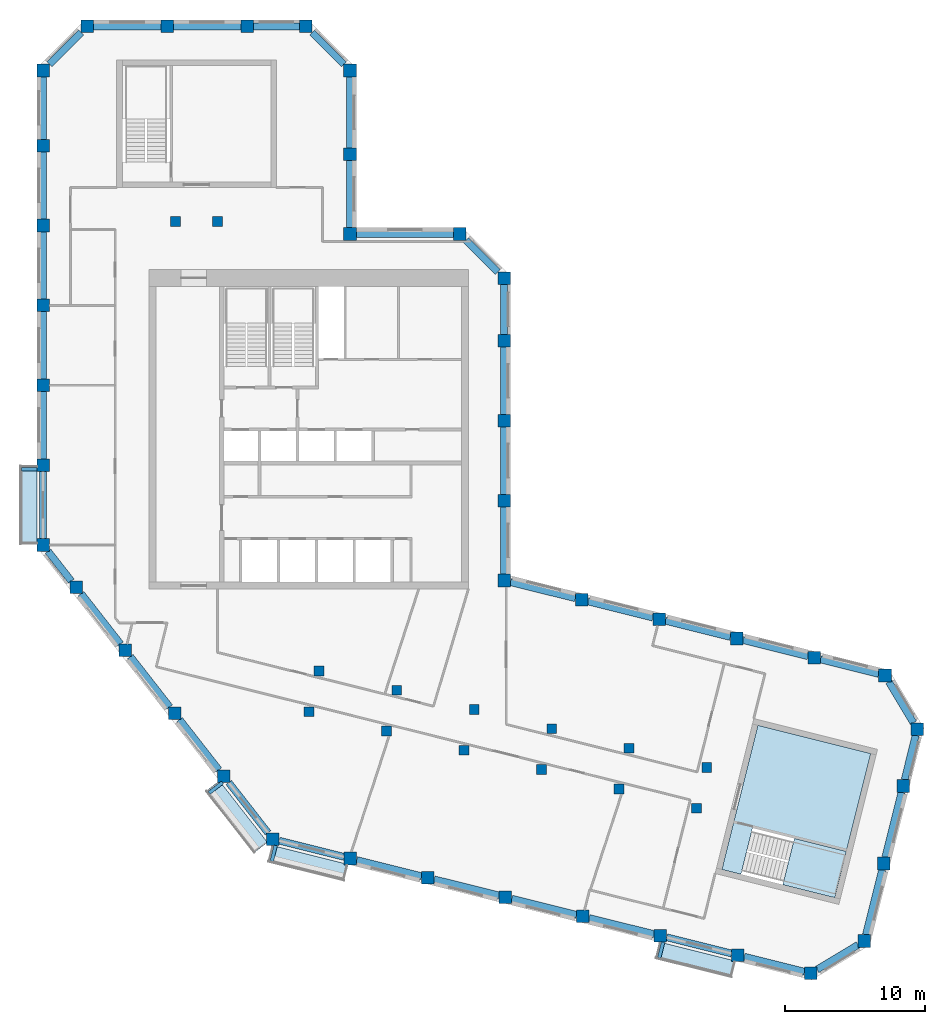
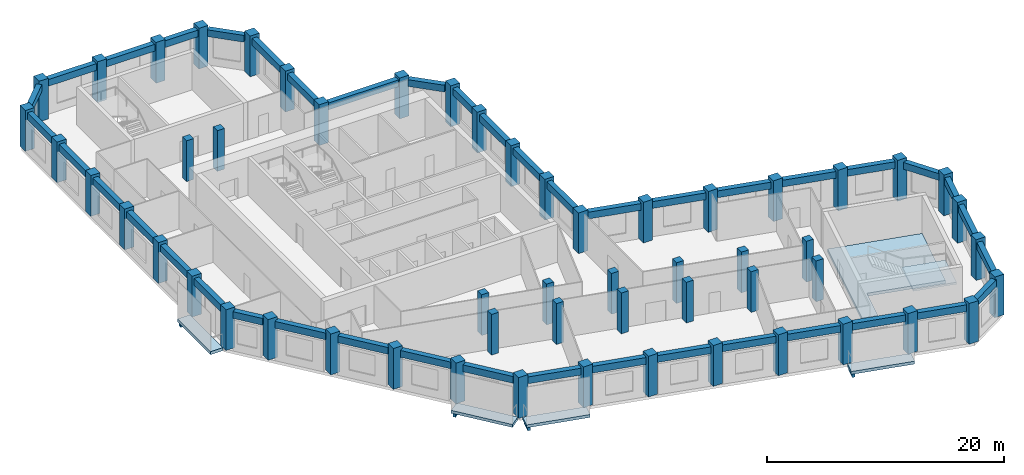
# One storey, part 1 of 8: 55 columns, 45 beams, 6 slabs, 1 element without a shape of its own.
"""IFC4 building model written with IfcOpenShell, lengths in metres."""

from ifc_helpers import new_model, si_unit, direction, frame, origin, origin_2d, place, context, subcontext, project, spatial, polyline, rectangle, outline, extrude, material, layer, layer_set, material_profile, profile_set, type_object, element, aggregate, save


model = new_model("IFC4")

# Units and contexts
model_context = context("Model", 3, precision=1e-05, world=origin(), true_north=direction((0.0, 1.0)))
body_context = subcontext(model_context, "Body", "Model", "MODEL_VIEW")
ifc_project = project(units=[si_unit("LENGTHUNIT", "METRE"), si_unit("AREAUNIT", "SQUARE_METRE"), si_unit("VOLUMEUNIT", "CUBIC_METRE"), si_unit("PLANEANGLEUNIT", "RADIAN"), si_unit("MASSUNIT", "GRAM", prefix="KILO")], contexts=[model_context])

# Site, building, storey
site_placement = place(None, origin())
site = spatial("IfcSite", under=ifc_project, at=site_placement, CompositionType="ELEMENT")
building_placement = place(site_placement, origin())
building = spatial("IfcBuilding", under=site, at=building_placement, Name="Meshkara Civic Tower", CompositionType="ELEMENT")
storey_placement = place(building_placement, frame((0.0, 0.0, 391.800048828125)))
storey = spatial("IfcBuildingStorey", under=building, at=storey_placement, Name="L90", CompositionType="ELEMENT", Elevation=391.800048828125)

# Columns
ifc_material_1 = material(Name="Concrete C50", Category="concrete")
ifc_material_profile_1 = material_profile(ifc_material_1, rectangle(XDim=0.699951171875, YDim=0.699951171875, at=origin_2d()))
ifc_profile_set_1 = profile_set([ifc_material_profile_1], Name="Concrete C50")
column_type_1 = type_object("IfcColumnType", Name="Interior column RC 700x700 C50", PredefinedType="COLUMN", material=ifc_profile_set_1)
for number, where, z_axis, x_axis, name in (
    (1, (9.89990234375, 40.35009765625, 0.0), (0.0, 0.0, 1.0), (1.0, 0.0, 0.0), "Column SA1-04 L90"),
    (2, (12.89990234375, 40.35009765625, 0.0), (0.0, 0.0, 1.0), (1.0, 0.0, 0.0), "Column SA2-04 L90"),
    (3, (19.424072265625, 5.360107421875, 0.0), (0.0, 0.0, 1.0), (1.0, 0.0, 0.0), "Column SB1-00 L90"),
    (4, (24.9541015625, 3.98095703125, 0.0), (0.0, 0.0, 1.0), (1.0, 0.0, 0.0), "Column SB1-01 L90"),
    (5, (30.485107421875, 2.60205078125, 0.0), (0.0, 0.0, 1.0), (1.0, 0.0, 0.0), "Column SB1-02 L90"),
    (6, (36.01611328125, 1.222900390625, 0.0), (0.0, 0.0, 1.0), (1.0, 0.0, 0.0), "Column SB1-03 L90"),
    (7, (41.5458984375, -0.156005859375, 0.0), (0.0, 0.0, 1.0), (1.0, 0.0, 0.0), "Column SB1-04 L90"),
    (8, (47.076904296875, -1.534912109375, 0.0), (0.0, 0.0, 1.0), (1.0, 0.0, 0.0), "Column SB1-05 L90"),
    (9, (20.14892578125, 8.27099609375, 0.0), (0.0, 0.0, 1.0), (1.0, 0.0, 0.0), "Column SB2-00 L90"),
    (10, (25.679931640625, 6.89208984375, 0.0), (0.0, 0.0, 1.0), (1.0, 0.0, 0.0), "Column SB2-01 L90"),
    (11, (31.2109375, 5.512939453125, 0.0), (0.0, 0.0, 1.0), (1.0, 0.0, 0.0), "Column SB2-02 L90"),
    (12, (36.741943359375, 4.134033203125, 0.0), (0.0, 0.0, 1.0), (1.0, 0.0, 0.0), "Column SB2-03 L90"),
    (13, (42.27197265625, 2.7548828125, 0.0), (0.0, 0.0, 1.0), (1.0, 0.0, 0.0), "Column SB2-04 L90"),
    (14, (47.802978515625, 1.3759765625, 0.0), (0.0, 0.0, 1.0), (1.0, 0.0, 0.0), "Column SB2-05 L90"),
):
    element("IfcColumn", number, at=place(storey_placement, frame(where, z_axis=z_axis, x_axis=x_axis)), inside=storey, type_object=column_type_1, Name=name, PredefinedType="COLUMN", context=body_context, shape_type="SweptSolid", body=[
        extrude(rectangle(XDim=0.699951171875, YDim=0.699951171875, at=origin_2d()), origin(), (0.0, 0.0, 1.0), 4.199951171875),
    ])
ifc_material_2 = material(Name="Concrete C50", Category="concrete")
ifc_material_profile_2 = material_profile(ifc_material_2, rectangle(XDim=0.89990234375, YDim=0.89990234375, at=origin_2d()))
ifc_profile_set_2 = profile_set([ifc_material_profile_2], Name="Concrete C50")
column_type_2 = type_object("IfcColumnType", Name="Perimeter column RC 900x900 C50", PredefinedType="COLUMN", material=ifc_profile_set_2)
for number, where, z_axis, x_axis, name in (
    (15, (33.35009765625, 14.718994140625, 0.0), (0.0, 0.0, 1.0), (1.0, 0.0, 0.0), "Column HE00 L90"),
    (16, (33.35009765625, 20.4189453125, 0.0), (0.0, 0.0, 1.0), (1.0, 0.0, 0.0), "Column HE01 L90"),
    (17, (33.35009765625, 26.118896484375, 0.0), (0.0, 0.0, 1.0), (1.0, 0.0, 0.0), "Column HE02 L90"),
    (18, (33.35009765625, 31.819091796875, 0.0), (0.0, 0.0, 1.0), (1.0, 0.0, 0.0), "Column HE03 L90"),
    (19, (33.35009765625, 36.2939453125, 0.0), (0.0, 0.0, 1.0), (1.0, 0.0, 0.0), "Column HEE L90"),
    (20, (30.194091796875, 39.449951171875, 0.0), (0.0, 0.0, 1.0), (1.0, 0.0, 0.0), "Column HCeE L90"),
    (21, (22.35009765625, 39.449951171875, 0.0), (0.0, 0.0, 1.0), (1.0, 0.0, 0.0), "Column HN00 L90"),
    (22, (22.35009765625, 45.14990234375, 0.0), (0.0, 0.0, 1.0), (1.0, 0.0, 0.0), "Column AE01 L90"),
    (23, (22.35009765625, 51.114013671875, 0.0), (0.0, 0.0, 1.0), (1.0, 0.0, 0.0), "Column AEEP5 L90"),
    (24, (19.194091796875, 54.27001953125, 0.0), (0.0, 0.0, 1.0), (1.0, 0.0, 0.0), "Column ATiEP5 L90"),
    (25, (3.60595703125, 54.27001953125, 0.0), (0.0, 0.0, 1.0), (1.0, 0.0, 0.0), "Column AT00-P5 L90"),
    (26, (9.305908203125, 54.27001953125, 0.0), (0.0, 0.0, 1.0), (1.0, 0.0, 0.0), "Column AT01-P5 L90"),
    (27, (15.006103515625, 54.27001953125, 0.0), (0.0, 0.0, 1.0), (1.0, 0.0, 0.0), "Column AT02-P5 L90"),
    (28, (0.449951171875, 51.114013671875, 0.0), (0.0, 0.0, 1.0), (1.0, 0.0, 0.0), "Column ATo00-P5 L90"),
    (29, (0.449951171875, 17.2548828125, 0.0), (0.0, 0.0, 1.0), (1.0, 0.0, 0.0), "Column AW00 L90"),
    (30, (0.449951171875, 22.955078125, 0.0), (0.0, 0.0, 1.0), (1.0, 0.0, 0.0), "Column AW01 L90"),
    (31, (0.449951171875, 28.655029296875, 0.0), (0.0, 0.0, 1.0), (1.0, 0.0, 0.0), "Column AW02 L90"),
    (32, (0.449951171875, 34.35498046875, 0.0), (0.0, 0.0, 1.0), (1.0, 0.0, 0.0), "Column AW03 L90"),
    (33, (0.449951171875, 40.054931640625, 0.0), (0.0, 0.0, 1.0), (1.0, 0.0, 0.0), "Column AW04 L90"),
    (34, (0.449951171875, 45.7548828125, 0.0), (0.0, 0.0, 1.0), (1.0, 0.0, 0.0), "Column AW05 L90"),
    (35, (16.85107421875, -3.738037109375, 0.0), (0.0, 0.0, 1.0), (1.0, 0.0, 0.0), "Column BOW00 L90"),
    (36, (13.342041015625, 0.75390625, 0.0), (0.0, 0.0, 1.0), (1.0, 0.0, 0.0), "Column BOW01 L90"),
    (37, (9.8330078125, 5.2451171875, 0.0), (0.0, 0.0, 1.0), (1.0, 0.0, 0.0), "Column BOW02 L90"),
    (38, (6.322998046875, 9.737060546875, 0.0), (0.0, 0.0, 1.0), (1.0, 0.0, 0.0), "Column BOW03 L90"),
    (39, (2.81396484375, 14.22900390625, 0.0), (0.0, 0.0, 1.0), (1.0, 0.0, 0.0), "Column BOW04 L90"),
    (40, (22.382080078125, -5.116943359375, 0.0), (0.0, 0.0, 1.0), (1.0, 0.0, 0.0), "Column BS01 L90"),
    (41, (27.912109375, -6.49609375, 0.0), (0.0, 0.0, 1.0), (1.0, 0.0, 0.0), "Column BS02 L90"),
    (42, (33.443115234375, -7.875, 0.0), (0.0, 0.0, 1.0), (1.0, 0.0, 0.0), "Column BS03 L90"),
    (43, (38.97412109375, -9.25390625, 0.0), (0.0, 0.0, 1.0), (1.0, 0.0, 0.0), "Column BS04 L90"),
    (44, (44.50390625, -10.633056640625, 0.0), (0.0, 0.0, 1.0), (1.0, 0.0, 0.0), "Column BS05-P4 L90"),
    (45, (50.034912109375, -12.011962890625, 0.0), (0.0, 0.0, 1.0), (1.0, 0.0, 0.0), "Column BS06-P4 L90"),
    (46, (55.235107421875, -13.30810546875, 0.0), (0.0, 0.0, 1.0), (1.0, 0.0, 0.0), "Column BSEP5 L90"),
    (47, (59.06103515625, -11.009033203125, 0.0), (0.0, 0.0, 1.0), (1.0, 0.0, 0.0), "Column BToEP5 L90"),
    (48, (60.43994140625, -5.47802734375, 0.0), (0.0, 0.0, 1.0), (1.0, 0.0, 0.0), "Column BT01-P5 L90"),
    (49, (61.819091796875, 0.052001953125, 0.0), (0.0, 0.0, 1.0), (1.0, 0.0, 0.0), "Column BT02-P5 L90"),
    (50, (62.83203125, 4.114990234375, 0.0), (0.0, 0.0, 1.0), (1.0, 0.0, 0.0), "Column BTEP5 L90"),
    (51, (60.532958984375, 7.94091796875, 0.0), (0.0, 0.0, 1.0), (1.0, 0.0, 0.0), "Column BTi00-P5 L90"),
    (52, (38.881103515625, 13.340087890625, 0.0), (0.0, 0.0, 1.0), (1.0, 0.0, 0.0), "Column BN01 L90"),
    (53, (44.410888671875, 11.9609375, 0.0), (0.0, 0.0, 1.0), (1.0, 0.0, 0.0), "Column BN02 L90"),
    (54, (49.94189453125, 10.58203125, 0.0), (0.0, 0.0, 1.0), (1.0, 0.0, 0.0), "Column BN03 L90"),
    (55, (55.472900390625, 9.202880859375, 0.0), (0.0, 0.0, 1.0), (1.0, 0.0, 0.0), "Column BN04 L90"),
):
    element("IfcColumn", number, at=place(storey_placement, frame(where, z_axis=z_axis, x_axis=x_axis)), inside=storey, type_object=column_type_2, Name=name, PredefinedType="COLUMN", context=body_context, shape_type="SweptSolid", body=[
        extrude(rectangle(XDim=0.89990234375, YDim=0.89990234375, at=origin_2d()), origin(), (0.0, 0.0, 1.0), 4.199951171875),
    ])

# Beams
ifc_material_3 = material(Name="Concrete C50", Category="concrete")
ifc_material_profile_3 = material_profile(ifc_material_3, rectangle(XDim=0.25, YDim=0.39990234375, at=origin_2d()))
ifc_profile_set_3 = profile_set([ifc_material_profile_3], Name="Concrete C50")
beam_type_1 = type_object("IfcBeamType", Name="Balcony bracket beam RC 250x400 C50", PredefinedType="BEAM", material=ifc_profile_set_3)
beam_1_placement = place(storey_placement, frame((0.0048828125, 22.655029296875, -0.5), z_axis=(-1.0, 0.0, 0.0), x_axis=(0.0, -1.0, 0.0)))
element("IfcBeam", 56, at=beam_1_placement, inside=storey, type_object=beam_type_1, Name="Balcony bracket beam", PredefinedType="BEAM", context=body_context, shape_type="SweptSolid", body=[
    extrude(rectangle(XDim=0.25, YDim=0.39990234375, at=origin_2d()), origin(), (0.0, 0.0, 1.0), 1.10498046875),
])
beam_2_placement = place(storey_placement, frame((13.257080078125, 0.306884765625, -0.5), z_axis=(-0.788012120422, -0.615659725878, 0.0), x_axis=(0.615659725878, -0.788012120422, 0.0)))
element("IfcBeam", 57, at=beam_2_placement, inside=storey, type_object=beam_type_1, Name="Balcony bracket beam", PredefinedType="BEAM", context=body_context, shape_type="SweptSolid", body=[
    extrude(rectangle(XDim=0.25, YDim=0.39990234375, at=origin_2d()), origin(), (0.0, 0.0, 1.0), 1.208251953125),
])
beam_3_placement = place(storey_placement, frame((17.049072265625, -4.18310546875, -0.5), z_axis=(-0.241944119929, -0.970290184858, 0.0), x_axis=(0.970290184858, -0.241944119929, 0.0)))
element("IfcBeam", 58, at=beam_3_placement, inside=storey, type_object=beam_type_1, Name="Balcony bracket beam", PredefinedType="BEAM", context=body_context, shape_type="SweptSolid", body=[
    extrude(rectangle(XDim=0.25, YDim=0.39990234375, at=origin_2d()), origin(), (0.0, 0.0, 1.0), 1.16552734375),
])
beam_4_placement = place(storey_placement, frame((44.701904296875, -11.077880859375, -0.5), z_axis=(-0.241894953997, -0.970302443175, 0.0), x_axis=(0.970302443175, -0.241894953997, 0.0)))
element("IfcBeam", 59, at=beam_4_placement, inside=storey, type_object=beam_type_1, Name="Balcony bracket beam", PredefinedType="BEAM", context=body_context, shape_type="SweptSolid", body=[
    extrude(rectangle(XDim=0.25, YDim=0.39990234375, at=origin_2d()), origin(), (0.0, 0.0, 1.0), 1.165771484375),
])
ifc_material_4 = material(Name="Concrete C50", Category="concrete")
ifc_material_profile_4 = material_profile(ifc_material_4, rectangle(XDim=0.5, YDim=0.699951171875, at=origin_2d()))
ifc_profile_set_4 = profile_set([ifc_material_profile_4], Name="Concrete C50")
beam_type_2 = type_object("IfcBeamType", Name="Spandrel beam RC 500x700 C50", PredefinedType="BEAM", material=ifc_profile_set_4)
for number, where, z_axis, x_axis, name in (
    (60, (55.02783203125, 9.31396484375, 3.550048828125), (-0.970298442389, 0.241911001604, 0.0), (-0.241911001604, -0.970298442389, 0.0), "Spandrel beam BN03-BN04"),
    (61, (49.496826171875, 10.693115234375, 3.550048828125), (-0.970298442389, 0.241911001604, 0.0), (-0.241911001604, -0.970298442389, 0.0), "Spandrel beam BN02-BN03"),
):
    element("IfcBeam", number, at=place(storey_placement, frame(where, z_axis=z_axis, x_axis=x_axis)), inside=storey, type_object=beam_type_2, Name=name, PredefinedType="BEAM", context=body_context, shape_type="SweptSolid", body=[
        extrude(rectangle(XDim=0.5, YDim=0.699951171875, at=origin_2d()), origin(), (0.0, 0.0, 1.0), 4.78271484375),
    ])
beam_5_placement = place(storey_placement, frame((43.9658203125, 12.072021484375, 3.550048828125), z_axis=(-0.970286489601, 0.241958938867, 0.0), x_axis=(-0.241958938867, -0.970286489601, 0.0)))
element("IfcBeam", 62, at=beam_5_placement, inside=storey, type_object=beam_type_2, Name="Spandrel beam BN01-BN02", PredefinedType="BEAM", context=body_context, shape_type="SweptSolid", body=[
    extrude(rectangle(XDim=0.5, YDim=0.699951171875, at=origin_2d()), origin(), (0.0, 0.0, 1.0), 4.78173828125),
])
beam_6_placement = place(storey_placement, frame((38.435791015625, 13.450927734375, 3.550048828125), z_axis=(-0.970298442389, 0.241911001604, 0.0), x_axis=(-0.241911001604, -0.970298442389, 0.0)))
element("IfcBeam", 63, at=beam_6_placement, inside=storey, type_object=beam_type_2, Name="Spandrel beam BN01-HE00", PredefinedType="BEAM", context=body_context, shape_type="SweptSolid", body=[
    extrude(rectangle(XDim=0.5, YDim=0.699951171875, at=origin_2d()), origin(), (0.0, 0.0, 1.0), 4.78271484375),
])
for number, where, z_axis, x_axis, name in (
    (64, (33.35009765625, 15.1640625, 3.550048828125), (0.0, 1.0, 0.0), (-1.0, 0.0, 0.0), "Spandrel beam HE00-HE01"),
    (65, (33.35009765625, 20.864013671875, 3.550048828125), (0.0, 1.0, 0.0), (-1.0, 0.0, 0.0), "Spandrel beam HE01-HE02"),
    (66, (33.35009765625, 26.56396484375, 3.550048828125), (0.0, 1.0, 0.0), (-1.0, 0.0, 0.0), "Spandrel beam HE02-HE03"),
):
    element("IfcBeam", number, at=place(storey_placement, frame(where, z_axis=z_axis, x_axis=x_axis)), inside=storey, type_object=beam_type_2, Name=name, PredefinedType="BEAM", context=body_context, shape_type="SweptSolid", body=[
        extrude(rectangle(XDim=0.5, YDim=0.699951171875, at=origin_2d()), origin(), (0.0, 0.0, 1.0), 4.81005859375),
    ])
beam_7_placement = place(storey_placement, frame((33.35009765625, 32.263916015625, 3.550048828125), z_axis=(0.0, 1.0, 0.0), x_axis=(-1.0, 0.0, 0.0)))
element("IfcBeam", 67, at=beam_7_placement, inside=storey, type_object=beam_type_2, Name="Spandrel beam HE03-HEE", PredefinedType="BEAM", context=body_context, shape_type="SweptSolid", body=[
    extrude(rectangle(XDim=0.5, YDim=0.699951171875, at=origin_2d()), origin(), (0.0, 0.0, 1.0), 3.585205078125),
])
beam_8_placement = place(storey_placement, frame((32.903564453125, 36.740478515625, 3.550048828125), z_axis=(-0.707144921739, 0.707068638576, 0.0), x_axis=(-0.707068638576, -0.707144921739, 0.0)))
element("IfcBeam", 68, at=beam_8_placement, inside=storey, type_object=beam_type_2, Name="Spandrel beam HCeE-HEE", PredefinedType="BEAM", context=body_context, shape_type="SweptSolid", body=[
    extrude(rectangle(XDim=0.5, YDim=0.699951171875, at=origin_2d()), origin(), (0.0, 0.0, 1.0), 3.200439453125),
])
beam_9_placement = place(storey_placement, frame((29.7490234375, 39.449951171875, 3.550048828125), z_axis=(-1.0, 0.0, 0.0), x_axis=(0.0, -1.0, 0.0)))
element("IfcBeam", 69, at=beam_9_placement, inside=storey, type_object=beam_type_2, Name="Spandrel beam HCeE-HN00", PredefinedType="BEAM", context=body_context, shape_type="SweptSolid", body=[
    extrude(rectangle(XDim=0.5, YDim=0.699951171875, at=origin_2d()), origin(), (0.0, 0.0, 1.0), 6.9541015625),
])
beam_10_placement = place(storey_placement, frame((22.35009765625, 39.89501953125, 3.550048828125), z_axis=(0.0, 1.0, 0.0), x_axis=(-1.0, 0.0, 0.0)))
element("IfcBeam", 70, at=beam_10_placement, inside=storey, type_object=beam_type_2, Name="Spandrel beam AE01-HN00", PredefinedType="BEAM", context=body_context, shape_type="SweptSolid", body=[
    extrude(rectangle(XDim=0.5, YDim=0.699951171875, at=origin_2d()), origin(), (0.0, 0.0, 1.0), 4.81005859375),
])
beam_11_placement = place(storey_placement, frame((22.35009765625, 45.594970703125, 3.550048828125), z_axis=(0.0, 1.0, 0.0), x_axis=(-1.0, 0.0, 0.0)))
element("IfcBeam", 71, at=beam_11_placement, inside=storey, type_object=beam_type_2, Name="Spandrel beam AE01-AEEP5", PredefinedType="BEAM", context=body_context, shape_type="SweptSolid", body=[
    extrude(rectangle(XDim=0.5, YDim=0.699951171875, at=origin_2d()), origin(), (0.0, 0.0, 1.0), 5.073974609375),
])
beam_12_placement = place(storey_placement, frame((21.903564453125, 51.560546875, 3.550048828125), z_axis=(-0.707144921739, 0.707068638576, 0.0), x_axis=(-0.707068638576, -0.707144921739, 0.0)))
element("IfcBeam", 72, at=beam_12_placement, inside=storey, type_object=beam_type_2, Name="Spandrel beam AEEP5-ATiEP5", PredefinedType="BEAM", context=body_context, shape_type="SweptSolid", body=[
    extrude(rectangle(XDim=0.5, YDim=0.699951171875, at=origin_2d()), origin(), (0.0, 0.0, 1.0), 3.200439453125),
])
beam_13_placement = place(storey_placement, frame((18.7490234375, 54.27001953125, 3.550048828125), z_axis=(-1.0, 0.0, 0.0), x_axis=(0.0, -1.0, 0.0)))
element("IfcBeam", 73, at=beam_13_placement, inside=storey, type_object=beam_type_2, Name="Spandrel beam AT02-P5-ATiEP5", PredefinedType="BEAM", context=body_context, shape_type="SweptSolid", body=[
    extrude(rectangle(XDim=0.5, YDim=0.699951171875, at=origin_2d()), origin(), (0.0, 0.0, 1.0), 3.298095703125),
])
for number, where, z_axis, x_axis, name in (
    (74, (14.56103515625, 54.27001953125, 3.550048828125), (-1.0, 0.0, 0.0), (0.0, -1.0, 0.0), "Spandrel beam AT01-P5-AT02-P5"),
    (75, (8.861083984375, 54.27001953125, 3.550048828125), (-1.0, 0.0, 0.0), (0.0, -1.0, 0.0), "Spandrel beam AT00-P5-AT01-P5"),
):
    element("IfcBeam", number, at=place(storey_placement, frame(where, z_axis=z_axis, x_axis=x_axis)), inside=storey, type_object=beam_type_2, Name=name, PredefinedType="BEAM", context=body_context, shape_type="SweptSolid", body=[
        extrude(rectangle(XDim=0.5, YDim=0.699951171875, at=origin_2d()), origin(), (0.0, 0.0, 1.0), 4.81005859375),
    ])
beam_14_placement = place(storey_placement, frame((3.159423828125, 53.823486328125, 3.550048828125), z_axis=(-0.707106781187, -0.707106781187, 0.0), x_axis=(0.707106781187, -0.707106781187, 0.0)))
element("IfcBeam", 76, at=beam_14_placement, inside=storey, type_object=beam_type_2, Name="Spandrel beam AT00-P5-ATo00-P5", PredefinedType="BEAM", context=body_context, shape_type="SweptSolid", body=[
    extrude(rectangle(XDim=0.5, YDim=0.699951171875, at=origin_2d()), origin(), (0.0, 0.0, 1.0), 3.2001953125),
])
beam_15_placement = place(storey_placement, frame((0.449951171875, 50.6689453125, 3.550048828125), z_axis=(0.0, -1.0, 0.0), x_axis=(1.0, 0.0, 0.0)))
element("IfcBeam", 77, at=beam_15_placement, inside=storey, type_object=beam_type_2, Name="Spandrel beam ATo00-P5-AW05", PredefinedType="BEAM", context=body_context, shape_type="SweptSolid", body=[
    extrude(rectangle(XDim=0.5, YDim=0.699951171875, at=origin_2d()), origin(), (0.0, 0.0, 1.0), 4.468994140625),
])
for number, where, z_axis, x_axis, name in (
    (78, (0.449951171875, 45.31005859375, 3.550048828125), (0.0, -1.0, 0.0), (1.0, 0.0, 0.0), "Spandrel beam AW04-AW05"),
    (79, (0.449951171875, 39.610107421875, 3.550048828125), (0.0, -1.0, 0.0), (1.0, 0.0, 0.0), "Spandrel beam AW03-AW04"),
):
    element("IfcBeam", number, at=place(storey_placement, frame(where, z_axis=z_axis, x_axis=x_axis)), inside=storey, type_object=beam_type_2, Name=name, PredefinedType="BEAM", context=body_context, shape_type="SweptSolid", body=[
        extrude(rectangle(XDim=0.5, YDim=0.699951171875, at=origin_2d()), origin(), (0.0, 0.0, 1.0), 4.81005859375),
    ])
beam_16_placement = place(storey_placement, frame((0.449951171875, 33.909912109375, 3.550048828125), z_axis=(0.0, -1.0, 0.0), x_axis=(1.0, 0.0, 0.0)))
element("IfcBeam", 80, at=beam_16_placement, inside=storey, type_object=beam_type_2, Name="Spandrel beam AW02-AW03", PredefinedType="BEAM", context=body_context, shape_type="SweptSolid", body=[
    extrude(rectangle(XDim=0.5, YDim=0.699951171875, at=origin_2d()), origin(), (0.0, 0.0, 1.0), 4.809814453125),
])
for number, where, z_axis, x_axis, name in (
    (81, (0.449951171875, 28.2099609375, 3.550048828125), (0.0, -1.0, 0.0), (1.0, 0.0, 0.0), "Spandrel beam AW01-AW02"),
    (82, (0.449951171875, 22.510009765625, 3.550048828125), (0.0, -1.0, 0.0), (1.0, 0.0, 0.0), "Spandrel beam AW00-AW01"),
):
    element("IfcBeam", number, at=place(storey_placement, frame(where, z_axis=z_axis, x_axis=x_axis)), inside=storey, type_object=beam_type_2, Name=name, PredefinedType="BEAM", context=body_context, shape_type="SweptSolid", body=[
        extrude(rectangle(XDim=0.5, YDim=0.699951171875, at=origin_2d()), origin(), (0.0, 0.0, 1.0), 4.81005859375),
    ])
beam_17_placement = place(storey_placement, frame((0.798583984375, 16.808837890625, 3.550048828125), z_axis=(0.615637043197, -0.788029841468, 0.0), x_axis=(0.788029841468, 0.615637043197, 0.0)))
element("IfcBeam", 83, at=beam_17_placement, inside=storey, type_object=beam_type_2, Name="Spandrel beam AW00-BOW04", PredefinedType="BEAM", context=body_context, shape_type="SweptSolid", body=[
    extrude(rectangle(XDim=0.5, YDim=0.699951171875, at=origin_2d()), origin(), (0.0, 0.0, 1.0), 2.707763671875),
])
beam_18_placement = place(storey_placement, frame((3.162353515625, 13.782958984375, 3.550048828125), z_axis=(0.615626410665, -0.788038147865, 0.0), x_axis=(0.788038147865, 0.615626410665, 0.0)))
element("IfcBeam", 84, at=beam_18_placement, inside=storey, type_object=beam_type_2, Name="Spandrel beam BOW03-BOW04", PredefinedType="BEAM", context=body_context, shape_type="SweptSolid", body=[
    extrude(rectangle(XDim=0.5, YDim=0.699951171875, at=origin_2d()), origin(), (0.0, 0.0, 1.0), 4.568115234375),
])
beam_19_placement = place(storey_placement, frame((6.67138671875, 9.291015625, 3.550048828125), z_axis=(0.615759141311, -0.787934438829, 0.0), x_axis=(0.787934438829, 0.615759141311, 0.0)))
element("IfcBeam", 85, at=beam_19_placement, inside=storey, type_object=beam_type_2, Name="Spandrel beam BOW02-BOW03", PredefinedType="BEAM", context=body_context, shape_type="SweptSolid", body=[
    extrude(rectangle(XDim=0.5, YDim=0.699951171875, at=origin_2d()), origin(), (0.0, 0.0, 1.0), 4.568603515625),
])
beam_20_placement = place(storey_placement, frame((10.181396484375, 4.798828125, 3.550048828125), z_axis=(0.615722879711, -0.78796277539, 0.0), x_axis=(0.78796277539, 0.615722879711, 0.0)))
element("IfcBeam", 86, at=beam_20_placement, inside=storey, type_object=beam_type_2, Name="Spandrel beam BOW01-BOW02", PredefinedType="BEAM", context=body_context, shape_type="SweptSolid", body=[
    extrude(rectangle(XDim=0.5, YDim=0.699951171875, at=origin_2d()), origin(), (0.0, 0.0, 1.0), 4.56689453125),
])
beam_21_placement = place(storey_placement, frame((13.6904296875, 0.307861328125, 3.550048828125), z_axis=(0.615626410665, -0.788038147865, 0.0), x_axis=(0.788038147865, 0.615626410665, 0.0)))
element("IfcBeam", 87, at=beam_21_placement, inside=storey, type_object=beam_type_2, Name="Spandrel beam BOW00-BOW01", PredefinedType="BEAM", context=body_context, shape_type="SweptSolid", body=[
    extrude(rectangle(XDim=0.5, YDim=0.699951171875, at=origin_2d()), origin(), (0.0, 0.0, 1.0), 4.568115234375),
])
beam_22_placement = place(storey_placement, frame((17.296142578125, -3.84912109375, 3.550048828125), z_axis=(0.970301429476, -0.241899020164, 0.0), x_axis=(0.241899020164, 0.970301429476, 0.0)))
element("IfcBeam", 88, at=beam_22_placement, inside=storey, type_object=beam_type_2, Name="Spandrel beam BOW00-BS01", PredefinedType="BEAM", context=body_context, shape_type="SweptSolid", body=[
    extrude(rectangle(XDim=0.5, YDim=0.699951171875, at=origin_2d()), origin(), (0.0, 0.0, 1.0), 4.782958984375),
])
beam_23_placement = place(storey_placement, frame((22.8271484375, -5.22802734375, 3.550048828125), z_axis=(0.970286489601, -0.241958938867, 0.0), x_axis=(0.241958938867, 0.970286489601, 0.0)))
element("IfcBeam", 89, at=beam_23_placement, inside=storey, type_object=beam_type_2, Name="Spandrel beam BS01-BS02", PredefinedType="BEAM", context=body_context, shape_type="SweptSolid", body=[
    extrude(rectangle(XDim=0.5, YDim=0.699951171875, at=origin_2d()), origin(), (0.0, 0.0, 1.0), 4.78173828125),
])
for number, where, z_axis, x_axis, name in (
    (90, (28.357177734375, -6.60693359375, 3.550048828125), (0.970298442389, -0.241911001604, 0.0), (0.241911001604, 0.970298442389, 0.0), "Spandrel beam BS02-BS03"),
    (91, (33.88818359375, -7.986083984375, 3.550048828125), (0.970298442389, -0.241911001604, 0.0), (0.241911001604, 0.970298442389, 0.0), "Spandrel beam BS03-BS04"),
):
    element("IfcBeam", number, at=place(storey_placement, frame(where, z_axis=z_axis, x_axis=x_axis)), inside=storey, type_object=beam_type_2, Name=name, PredefinedType="BEAM", context=body_context, shape_type="SweptSolid", body=[
        extrude(rectangle(XDim=0.5, YDim=0.699951171875, at=origin_2d()), origin(), (0.0, 0.0, 1.0), 4.78271484375),
    ])
beam_24_placement = place(storey_placement, frame((39.419189453125, -9.364990234375, 3.550048828125), z_axis=(0.970286489601, -0.241958938867, 0.0), x_axis=(0.241958938867, 0.970286489601, 0.0)))
element("IfcBeam", 92, at=beam_24_placement, inside=storey, type_object=beam_type_2, Name="Spandrel beam BS04-BS05-P4", PredefinedType="BEAM", context=body_context, shape_type="SweptSolid", body=[
    extrude(rectangle(XDim=0.5, YDim=0.699951171875, at=origin_2d()), origin(), (0.0, 0.0, 1.0), 4.78173828125),
])
beam_25_placement = place(storey_placement, frame((44.94921875, -10.743896484375, 3.550048828125), z_axis=(0.970298442389, -0.241911001604, 0.0), x_axis=(0.241911001604, 0.970298442389, 0.0)))
element("IfcBeam", 93, at=beam_25_placement, inside=storey, type_object=beam_type_2, Name="Spandrel beam BS05-P4-BS06-P4", PredefinedType="BEAM", context=body_context, shape_type="SweptSolid", body=[
    extrude(rectangle(XDim=0.5, YDim=0.699951171875, at=origin_2d()), origin(), (0.0, 0.0, 1.0), 4.78271484375),
])
beam_26_placement = place(storey_placement, frame((50.47998046875, -12.122802734375, 3.550048828125), z_axis=(0.97031362237, -0.241850106975, 0.0), x_axis=(0.241850106975, 0.97031362237, 0.0)))
element("IfcBeam", 94, at=beam_26_placement, inside=storey, type_object=beam_type_2, Name="Spandrel beam BS06-P4-BSEP5", PredefinedType="BEAM", context=body_context, shape_type="SweptSolid", body=[
    extrude(rectangle(XDim=0.5, YDim=0.699951171875, at=origin_2d()), origin(), (0.0, 0.0, 1.0), 4.441650390625),
])
beam_27_placement = place(storey_placement, frame((55.6806640625, -13.040283203125, 3.550048828125), z_axis=(0.857146668312, 0.515072411416, 0.0), x_axis=(-0.515072411416, 0.857146668312, 0.0)))
element("IfcBeam", 95, at=beam_27_placement, inside=storey, type_object=beam_type_2, Name="Spandrel beam BSEP5-BToEP5", PredefinedType="BEAM", context=body_context, shape_type="SweptSolid", body=[
    extrude(rectangle(XDim=0.5, YDim=0.699951171875, at=origin_2d()), origin(), (0.0, 0.0, 1.0), 3.423583984375),
])
beam_28_placement = place(storey_placement, frame((59.172119140625, -10.56396484375, 3.550048828125), z_axis=(0.241899020164, 0.970301429476, 0.0), x_axis=(-0.970301429476, 0.241899020164, 0.0)))
element("IfcBeam", 96, at=beam_28_placement, inside=storey, type_object=beam_type_2, Name="Spandrel beam BT01-P5-BToEP5", PredefinedType="BEAM", context=body_context, shape_type="SweptSolid", body=[
    extrude(rectangle(XDim=0.5, YDim=0.699951171875, at=origin_2d()), origin(), (0.0, 0.0, 1.0), 4.782958984375),
])
beam_29_placement = place(storey_placement, frame((60.551025390625, -5.032958984375, 3.550048828125), z_axis=(0.241946952825, 0.970289478464, 0.0), x_axis=(-0.970289478464, 0.241946952825, 0.0)))
element("IfcBeam", 97, at=beam_29_placement, inside=storey, type_object=beam_type_2, Name="Spandrel beam BT01-P5-BT02-P5", PredefinedType="BEAM", context=body_context, shape_type="SweptSolid", body=[
    extrude(rectangle(XDim=0.5, YDim=0.699951171875, at=origin_2d()), origin(), (0.0, 0.0, 1.0), 4.781982421875),
])
beam_30_placement = place(storey_placement, frame((61.929931640625, 0.4970703125, 3.550048828125), z_axis=(0.241903146974, 0.970300400641, 0.0), x_axis=(-0.970300400641, 0.241903146974, 0.0)))
element("IfcBeam", 98, at=beam_30_placement, inside=storey, type_object=beam_type_2, Name="Spandrel beam BT02-P5-BTEP5", PredefinedType="BEAM", context=body_context, shape_type="SweptSolid", body=[
    extrude(rectangle(XDim=0.5, YDim=0.699951171875, at=origin_2d()), origin(), (0.0, 0.0, 1.0), 3.27001953125),
])
beam_31_placement = place(storey_placement, frame((62.564208984375, 4.560791015625, 3.550048828125), z_axis=(-0.515072411416, 0.857146668312, 0.0), x_axis=(-0.857146668312, -0.515072411416, 0.0)))
element("IfcBeam", 99, at=beam_31_placement, inside=storey, type_object=beam_type_2, Name="Spandrel beam BTEP5-BTi00-P5", PredefinedType="BEAM", context=body_context, shape_type="SweptSolid", body=[
    extrude(rectangle(XDim=0.5, YDim=0.699951171875, at=origin_2d()), origin(), (0.0, 0.0, 1.0), 3.423583984375),
])
beam_32_placement = place(storey_placement, frame((60.087890625, 8.052001953125, 3.550048828125), z_axis=(-0.970272690872, 0.242014266826, 0.0), x_axis=(-0.242014266826, -0.970272690872, 0.0)))
element("IfcBeam", 100, at=beam_32_placement, inside=storey, type_object=beam_type_2, Name="Spandrel beam BN04-BTi00-P5", PredefinedType="BEAM", context=body_context, shape_type="SweptSolid", body=[
    extrude(rectangle(XDim=0.5, YDim=0.699951171875, at=origin_2d()), origin(), (0.0, 0.0, 1.0), 4.29736328125),
])

# Slabs
ifc_material_5 = material(Name="Concrete C40", Category="concrete")
ifc_layer_1 = layer(ifc_material_5, 0.300048828125)
ifc_layer_set_1 = layer_set([ifc_layer_1], Name="BALCONY SLAB")
slab_type_1 = type_object("IfcSlabType", Name="BALCONY SLAB", PredefinedType="FLOOR", material=ifc_layer_set_1)
slab_1_placement = place(storey_placement, frame((0.0, 0.0, -0.300048828125)))
element("IfcSlab", 101, at=slab_1_placement, inside=storey, type_object=slab_type_1, Name="Balcony slab", PredefinedType="FLOOR", context=body_context, shape_type="SweptSolid", body=[
    extrude(outline(polyline([(0.0, 17.705078125), (0.0, 17.31494140625), (-1.199951171875, 17.31494140625), (-1.199951171875, 22.89501953125), (0.0, 22.89501953125), (0.0, 22.5048828125), (0.0, 17.705078125)])), origin(), (0.0, 0.0, 1.0), 0.300048828125),
])
slab_2_placement = place(storey_placement, frame((0.0, 0.0, -0.300048828125)))
element("IfcSlab", 102, at=slab_2_placement, inside=storey, type_object=slab_type_1, Name="Balcony slab", PredefinedType="FLOOR", context=body_context, shape_type="SweptSolid", body=[
    extrude(outline(polyline([(15.513916015625, -4.7060546875), (12.0791015625, -0.30908203125), (12.89208984375, 0.325927734375), (12.89208984375, 0.303955078125), (13.1220703125, 0.303955078125), (16.40087890625, -3.89306640625), (16.40087890625, -4.012939453125), (15.513916015625, -4.7060546875)])), origin(), (0.0, 0.0, 1.0), 0.300048828125),
])
slab_3_placement = place(storey_placement, frame((0.0, 0.0, -0.300048828125)))
element("IfcSlab", 103, at=slab_3_placement, inside=storey, type_object=slab_type_1, Name="Balcony slab", PredefinedType="FLOOR", context=body_context, shape_type="SweptSolid", body=[
    extrude(outline(polyline([(21.925048828125, -6.702880859375), (16.510009765625, -5.35302734375), (16.800048828125, -4.18896484375), (21.931884765625, -5.468017578125), (21.931884765625, -5.56689453125), (22.2080078125, -5.56689453125), (21.925048828125, -6.702880859375)])), origin(), (0.0, 0.0, 1.0), 0.300048828125),
])
slab_4_placement = place(storey_placement, frame((0.0, 0.0, -0.300048828125)))
element("IfcSlab", 104, at=slab_4_placement, inside=storey, type_object=slab_type_1, Name="Balcony slab", PredefinedType="FLOOR", context=body_context, shape_type="SweptSolid", body=[
    extrude(outline(polyline([(49.577880859375, -13.597900390625), (44.1630859375, -12.248046875), (44.452880859375, -11.083984375), (49.5849609375, -12.363037109375), (49.5849609375, -12.4619140625), (49.861083984375, -12.4619140625), (49.577880859375, -13.597900390625)])), origin(), (0.0, 0.0, 1.0), 0.300048828125),
])
ifc_material_6 = material(Name="Concrete C40/50", Category="concrete")
ifc_layer_2 = layer(ifc_material_6, 0.300048828125)
ifc_layer_set_2 = layer_set([ifc_layer_2], Name="Core floor slab 300 C40/50")
slab_type_2 = type_object("IfcSlabType", Name="Core floor slab 300 C40/50", PredefinedType="FLOOR", material=ifc_layer_set_2)
slab_5_placement = place(storey_placement, frame((0.0, 0.0, -0.300048828125)))
element("IfcSlab", 105, at=slab_5_placement, inside=storey, type_object=slab_type_2, Name="Core floor EB", PredefinedType="FLOOR", context=body_context, shape_type="SweptSolid", body=[
    extrude(outline(polyline([(51.45849609375, 4.381103515625), (59.511962890625, 2.373291015625), (57.77001953125, -4.61279296875), (51.076416015625, -2.944091796875), (50.25390625, -6.242919921875), (48.89404296875, -5.90380859375), (51.45849609375, 4.381103515625)])), origin(), (0.0, 0.0, 1.0), 0.300048828125),
])

# Stair, slab
ifc_material_7 = material(Name="Precast concrete C40/50", Category="concrete")
stair_type = type_object("IfcStairType", Name="Exit stair half-turn 24 risers precast", PredefinedType="HALF_TURN_STAIR", material=ifc_material_7)
stair_placement = place(storey_placement, origin())
stair = element("IfcStair", 106, at=stair_placement, inside=storey, type_object=stair_type, Name="L90 exit stair B from L80", PredefinedType="HALF_TURN_STAIR")
ifc_material_8 = material(Name="Precast concrete C40/50", Category="concrete")
ifc_layer_3 = layer(ifc_material_8, 0.199951171875)
ifc_layer_set_3 = layer_set([ifc_layer_3], Name="Exit stair landing 200")
slab_type_3 = type_object("IfcSlabType", Name="Exit stair landing 200", PredefinedType="LANDING", material=ifc_layer_set_3)
slab_6_placement = place(storey_placement, frame((0.0, 0.0, 1.89990234375)))
slab_6 = element("IfcSlab", 107, at=slab_6_placement, type_object=slab_type_3, Name="ESB6 landing 1", PredefinedType="LANDING", context=body_context, shape_type="SweptSolid", body=[
    extrude(outline(polyline([(53.2392578125, -6.987548828125), (56.947998046875, -7.912109375), (57.7705078125, -4.612060546875), (54.0615234375, -3.687744140625), (53.2392578125, -6.987548828125)])), origin(), (0.0, 0.0, 1.0), 0.199951171875),
])
aggregate(stair, [slab_6])

save(model, "model.ifc")
